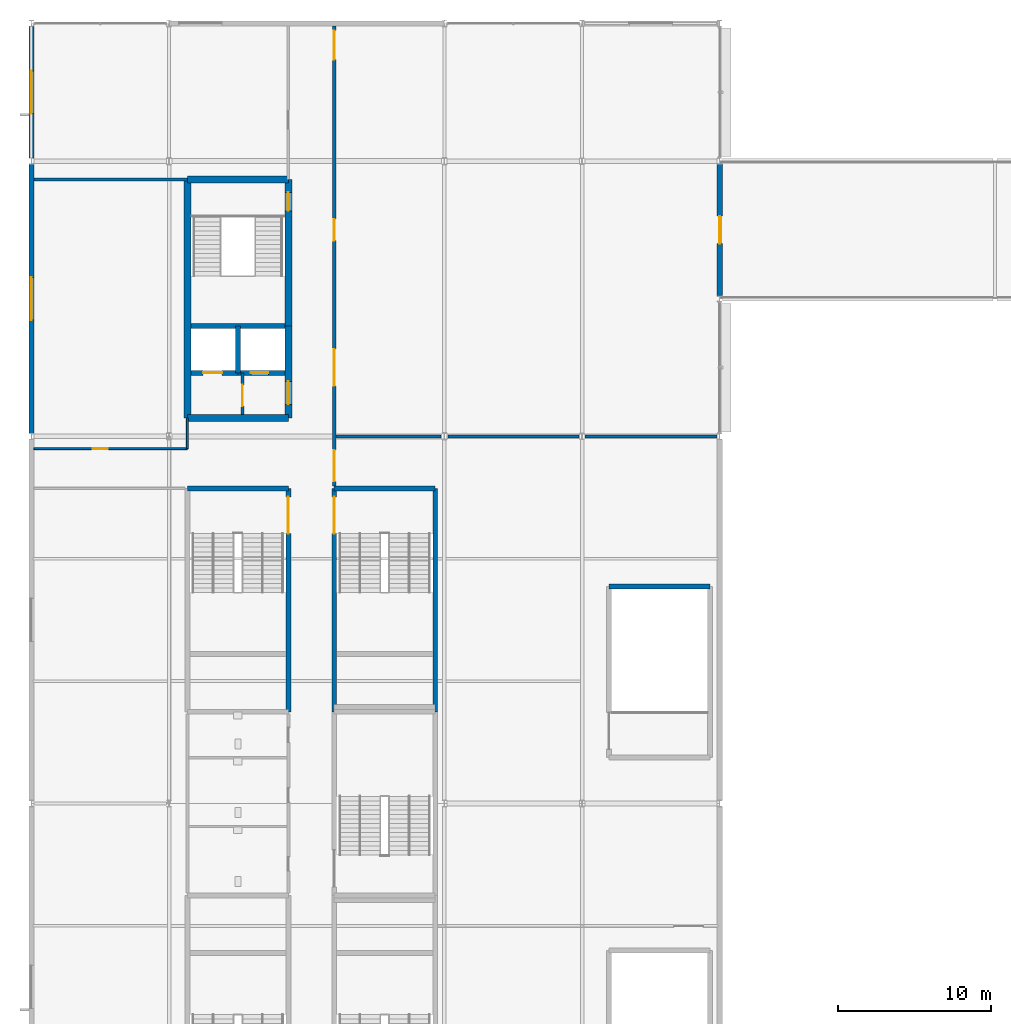
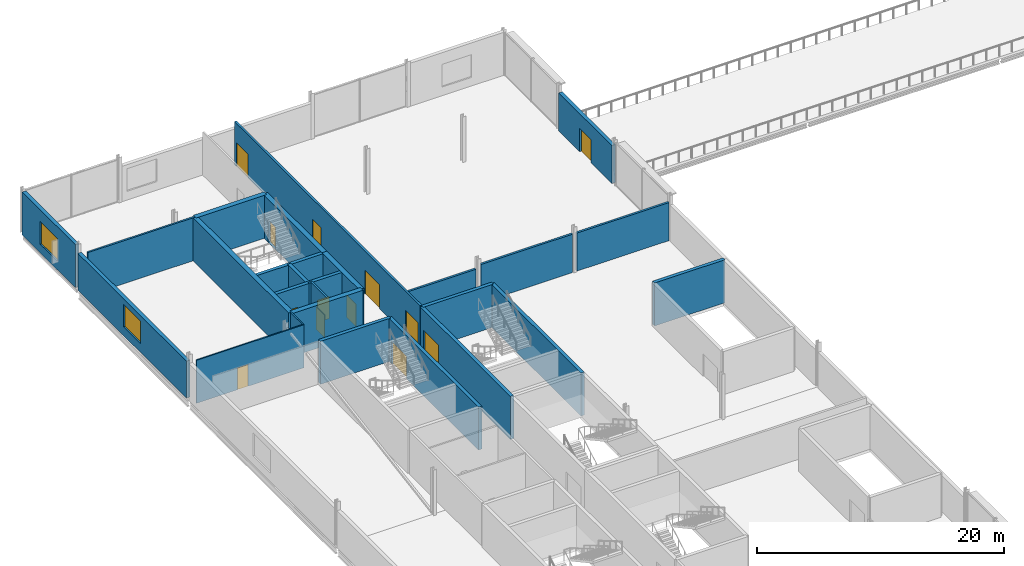
# One storey, part 41 of 73: 26 walls, 13 doors, 2 windows, 15 openings.
"""IFC4 building model written with IfcOpenShell, lengths in metres."""

from ifc_helpers import new_model, si_unit, direction, frame, frame_2d, origin, place, context, subcontext, project, spatial, rectangle, extrude, material, layer, layer_set, type_object, element, fill, save


model = new_model("IFC4")

# Units and contexts
model_context = context("Model", 3, precision=1e-05, world=origin(), true_north=direction((0.0, 1.0)))
body_context = subcontext(model_context, "Body", "Model", "MODEL_VIEW")
ifc_project = project(units=[si_unit("LENGTHUNIT", "METRE"), si_unit("AREAUNIT", "SQUARE_METRE"), si_unit("VOLUMEUNIT", "CUBIC_METRE"), si_unit("PLANEANGLEUNIT", "RADIAN"), si_unit("MASSUNIT", "GRAM", prefix="KILO")], contexts=[model_context])

# Site, building, storey
site_placement = place(None, origin())
site = spatial("IfcSite", under=ifc_project, at=site_placement, CompositionType="ELEMENT")
building_placement = place(site_placement, origin())
building = spatial("IfcBuilding", under=site, at=building_placement, Name="Kisiwana Market Hall", CompositionType="ELEMENT")
storey_placement = place(building_placement, frame((0.0, 0.0, 33.300048828125)))
storey = spatial("IfcBuildingStorey", under=building, at=storey_placement, Name="L07", CompositionType="ELEMENT", Elevation=33.300048828125)

# Wall, opening, door
ifc_material_1 = material(Name="Masonry blockwork", Category="masonry")
ifc_layer_1 = layer(ifc_material_1, 0.199951171875, Name="Plastered fire compartment block wall")
ifc_layer_set_1 = layer_set([ifc_layer_1], Name="WL-COMP-200")
wall_type_1 = type_object("IfcWallType", Name="WL-COMP-200", PredefinedType="PARTITIONING", material=ifc_layer_set_1)
wall_1_placement = place(storey_placement, frame((13.800048828125, 85.425048828125, 0.0), z_axis=(0.0, 0.0, 1.0), x_axis=(0.0, 1.0, 0.0)))
wall_1 = element("IfcWall", 1, at=wall_1_placement, inside=storey, type_object=wall_type_1, Name="Core W1 firefighting lobby wall W-2205", PredefinedType="PARTITIONING", context=body_context, shape_type="SweptSolid", body=[
    extrude(rectangle(XDim=2.72998046875, YDim=0.199951171875, at=frame_2d((1.364990234375, 0.0))), origin(), (0.0, 0.0, 1.0), 4.2548828125),
])
opening_1_placement = place(wall_1_placement, frame((0.550048828125, 0.0, 0.0)))
opening_1 = element("IfcOpeningElement", 2, at=opening_1_placement, cuts=wall_1, Name="Opening DR-L07-006", PredefinedType="OPENING", context=body_context, shape_type="SweptSolid", body=[
    extrude(rectangle(XDim=1.39990234375, YDim=2.25, at=frame_2d((0.699951171875, 1.125))), frame((0.0, 0.11181640625, 0.0), z_axis=(0.0, -1.0, 0.0), x_axis=(1.0, 0.0, 0.0)), (0.0, 0.0, 1.0), 0.223876953125),
])
ifc_material_2 = material(Name="Steel S275", Category="steel")
door_type_1 = type_object("IfcDoorType", Name="DR-FFLOB-FD120-1400", OperationType="DOUBLE_DOOR_SINGLE_SWING", PredefinedType="DOOR", material=ifc_material_2)
door_1_placement = place(opening_1_placement, frame((1.39990234375, 0.0, 0.0), z_axis=(0.0, 0.0, 1.0), x_axis=(-1.0, 0.0, 0.0)))
door_1 = element("IfcDoor", 3, at=door_1_placement, inside=storey, type_object=door_type_1, Name="Firefighting Lift Lobby W1 Door (L07)", OperationType="DOUBLE_DOOR_SINGLE_SWING", OverallHeight=2.25, OverallWidth=1.39990234375, PredefinedType="DOOR", context=body_context, shape_type="SweptSolid", body=[
    extrude(rectangle(XDim=1.39990234375, YDim=2.25, at=frame_2d((0.699951171875, 1.125))), frame((0.0, 0.02490234375, 0.0), z_axis=(0.0, -1.0, 0.0), x_axis=(1.0, 0.0, 0.0)), (0.0, 0.0, 1.0), 0.050048828125),
])
fill(opening_1, door_1)

# Walls
wall_2_placement = place(storey_placement, frame((19.89990234375, 84.0, 0.0), z_axis=(0.0, 0.0, 1.0), x_axis=(1.0, 0.0, 0.0)))
element("IfcWall", 4, at=wall_2_placement, inside=storey, type_object=wall_type_1, Name="Interior partition W-2227", PredefinedType="PARTITIONING", context=body_context, shape_type="SweptSolid", body=[
    extrude(rectangle(XDim=6.875, YDim=0.199951171875, at=frame_2d((3.4375, 0.0))), origin(), (0.0, 0.0, 1.0), 3.49267578125),
])
wall_3_placement = place(storey_placement, frame((27.22509765625, 84.0, 0.0), z_axis=(0.0, 0.0, 1.0), x_axis=(1.0, 0.0, 0.0)))
element("IfcWall", 5, at=wall_3_placement, inside=storey, type_object=wall_type_1, Name="Interior partition W-2228", PredefinedType="PARTITIONING", context=body_context, shape_type="SweptSolid", body=[
    extrude(rectangle(XDim=8.574951171875, YDim=0.199951171875, at=frame_2d((4.28759765625, 0.0))), origin(), (0.0, 0.0, 1.0), 3.801513671875),
])
wall_4_placement = place(storey_placement, frame((36.199951171875, 84.0, 0.0), z_axis=(0.0, 0.0, 1.0), x_axis=(1.0, 0.0, 0.0)))
element("IfcWall", 6, at=wall_4_placement, inside=storey, type_object=wall_type_1, Name="Interior partition W-2229", PredefinedType="PARTITIONING", context=body_context, shape_type="SweptSolid", body=[
    extrude(rectangle(XDim=8.630126953125, YDim=0.199951171875, at=frame_2d((4.31494140625, 0.0))), origin(), (0.0, 0.0, 1.0), 3.765625),
])

# Wall, openings, doors
wall_5_placement = place(storey_placement, frame((19.800048828125, 80.760009765625, 0.0), z_axis=(0.0, 0.0, 1.0), x_axis=(0.0, 1.0, 0.0)))
wall_5 = element("IfcWall", 7, at=wall_5_placement, inside=storey, type_object=wall_type_1, Name="Interior partition W-2231", PredefinedType="PARTITIONING", context=body_context, shape_type="SweptSolid", body=[
    extrude(rectangle(XDim=30.070068359375, YDim=0.199951171875, at=frame_2d((15.03515625, 0.0))), origin(), (0.0, 0.0, 1.0), 4.2548828125),
])
opening_2_placement = place(wall_5_placement, frame((16.0400390625, 0.0, 0.0)))
opening_2 = element("IfcOpeningElement", 8, at=opening_2_placement, cuts=wall_5, Name="Opening DR-L07-041", PredefinedType="OPENING", context=body_context, shape_type="SweptSolid", body=[
    extrude(rectangle(XDim=1.39990234375, YDim=2.25, at=frame_2d((0.699951171875, 1.125))), frame((0.0, 0.11181640625, 0.0), z_axis=(0.0, -1.0, 0.0), x_axis=(1.0, 0.0, 0.0)), (0.0, 0.0, 1.0), 0.223876953125),
])
opening_3_placement = place(wall_5_placement, frame((6.5400390625, 0.0, 0.0)))
opening_3 = element("IfcOpeningElement", 9, at=opening_3_placement, cuts=wall_5, Name="Opening DR-L07-042", PredefinedType="OPENING", context=body_context, shape_type="SweptSolid", body=[
    extrude(rectangle(XDim=2.39990234375, YDim=2.35009765625, at=frame_2d((1.199951171875, 1.175048828125))), frame((0.0, 0.11181640625, 0.0), z_axis=(0.0, -1.0, 0.0), x_axis=(1.0, 0.0, 0.0)), (0.0, 0.0, 1.0), 0.223876953125),
])
opening_4_placement = place(wall_5_placement, frame((0.300048828125, 0.0, 0.0)))
opening_4 = element("IfcOpeningElement", 10, at=opening_4_placement, cuts=wall_5, Name="Opening DR-L07-043", PredefinedType="OPENING", context=body_context, shape_type="SweptSolid", body=[
    extrude(rectangle(XDim=2.050048828125, YDim=2.39990234375, at=frame_2d((1.02490234375, 1.199951171875))), frame((0.0, 0.11181640625, 0.0), z_axis=(0.0, -1.0, 0.0), x_axis=(1.0, 0.0, 0.0)), (0.0, 0.0, 1.0), 0.223876953125),
])
opening_5_placement = place(wall_5_placement, frame((27.8701171875, 0.0, 0.0)))
opening_5 = element("IfcOpeningElement", 11, at=opening_5_placement, cuts=wall_5, Name="Opening DR-L07-044", PredefinedType="OPENING", context=body_context, shape_type="SweptSolid", body=[
    extrude(rectangle(XDim=1.89990234375, YDim=2.35009765625, at=frame_2d((0.949951171875, 1.175048828125))), frame((0.0, 0.11181640625, 0.0), z_axis=(0.0, -1.0, 0.0), x_axis=(1.0, 0.0, 0.0)), (0.0, 0.0, 1.0), 0.223876953125),
])
door_2_placement = place(opening_2_placement, frame((1.39990234375, 0.0, 0.0), z_axis=(0.0, 0.0, 1.0), x_axis=(-1.0, 0.0, 0.0)))
door_2 = element("IfcDoor", 12, at=door_2_placement, inside=storey, type_object=door_type_1, Name="L07 W Refuge and Wellness Suite Door", OperationType="DOUBLE_DOOR_SINGLE_SWING", OverallHeight=2.25, OverallWidth=1.39990234375, PredefinedType="DOOR", context=body_context, shape_type="SweptSolid", body=[
    extrude(rectangle(XDim=1.39990234375, YDim=2.25, at=frame_2d((0.699951171875, 1.125))), frame((0.0, 0.02490234375, 0.0), z_axis=(0.0, -1.0, 0.0), x_axis=(1.0, 0.0, 0.0)), (0.0, 0.0, 1.0), 0.050048828125),
])
fill(opening_2, door_2)
ifc_material_3 = material(Name="Steel S275", Category="steel")
door_type_2 = type_object("IfcDoorType", Name="DR-HALL-1900", OperationType="DOUBLE_DOOR_SINGLE_SWING", PredefinedType="DOOR", material=ifc_material_3)
door_3_placement = place(opening_5_placement, frame((1.89990234375, 0.0, 0.0), z_axis=(0.0, 0.0, 1.0), x_axis=(-1.0, 0.0, 0.0)))
door_3 = element("IfcDoor", 13, at=door_3_placement, inside=storey, type_object=door_type_2, Name="L07 W Town-Hall Briefing Room Door", OperationType="DOUBLE_DOOR_SINGLE_SWING", OverallHeight=2.35009765625, OverallWidth=1.89990234375, PredefinedType="DOOR", context=body_context, shape_type="SweptSolid", body=[
    extrude(rectangle(XDim=1.89990234375, YDim=2.35009765625, at=frame_2d((0.949951171875, 1.175048828125))), frame((0.0, 0.02490234375, 0.0), z_axis=(0.0, -1.0, 0.0), x_axis=(1.0, 0.0, 0.0)), (0.0, 0.0, 1.0), 0.050048828125),
])
fill(opening_5, door_3)
ifc_material_4 = material(Name="Hardwood timber", Category="wood")
door_type_3 = type_object("IfcDoorType", Name="DR-HALL-2050", OperationType="DOUBLE_DOOR_SINGLE_SWING", PredefinedType="DOOR", material=ifc_material_4)
door_4_placement = place(opening_4_placement, frame((2.050048828125, 0.0, 0.0), z_axis=(0.0, 0.0, 1.0), x_axis=(-1.0, 0.0, 0.0)))
door_4 = element("IfcDoor", 14, at=door_4_placement, inside=storey, type_object=door_type_3, Name="L07 W Staff Dining Canteen Door", OperationType="DOUBLE_DOOR_SINGLE_SWING", OverallHeight=2.39990234375, OverallWidth=2.050048828125, PredefinedType="DOOR", context=body_context, shape_type="SweptSolid", body=[
    extrude(rectangle(XDim=2.050048828125, YDim=2.39990234375, at=frame_2d((1.02490234375, 1.199951171875))), frame((0.0, 0.02490234375, 0.0), z_axis=(0.0, -1.0, 0.0), x_axis=(1.0, 0.0, 0.0)), (0.0, 0.0, 1.0), 0.050048828125),
])
fill(opening_4, door_4)
ifc_material_5 = material(Name="Steel S275", Category="steel")
door_type_4 = type_object("IfcDoorType", Name="DR-HALL-2400", OperationType="DOUBLE_DOOR_SINGLE_SWING", PredefinedType="DOOR", material=ifc_material_5)
door_5_placement = place(opening_3_placement, frame((2.39990234375, 0.0, 0.0), z_axis=(0.0, 0.0, 1.0), x_axis=(-1.0, 0.0, 0.0)))
door_5 = element("IfcDoor", 15, at=door_5_placement, inside=storey, type_object=door_type_4, Name="L07 W Refuge and Wellness Suite Second Door", OperationType="DOUBLE_DOOR_SINGLE_SWING", OverallHeight=2.35009765625, OverallWidth=2.39990234375, PredefinedType="DOOR", context=body_context, shape_type="SweptSolid", body=[
    extrude(rectangle(XDim=2.39990234375, YDim=2.35009765625, at=frame_2d((1.199951171875, 1.175048828125))), frame((0.0, 0.02490234375, 0.0), z_axis=(0.0, -1.0, 0.0), x_axis=(1.0, 0.0, 0.0)), (0.0, 0.0, 1.0), 0.050048828125),
])
fill(opening_3, door_5)

# Walls
ifc_material_6 = material(Name="Concrete C40/50", Category="concrete")
ifc_layer_2 = layer(ifc_material_6, 0.320068359375, Name="Reinforced concrete shaft wall")
ifc_layer_set_2 = layer_set([ifc_layer_2], Name="WL-CORE-320")
wall_type_2 = type_object("IfcWallType", Name="WL-CORE-320", PredefinedType="SHEAR", material=ifc_layer_set_2)
wall_6_placement = place(storey_placement, frame((10.425048828125, 91.215087890625, 0.0), z_axis=(0.0, 0.0, 1.0), x_axis=(1.0, 0.0, 0.0)))
element("IfcWall", 16, at=wall_6_placement, inside=storey, type_object=wall_type_2, Name="Core W1 shaft back shear wall W-2092", PredefinedType="SHEAR", context=body_context, shape_type="SweptSolid", body=[
    extrude(rectangle(XDim=6.14990234375, YDim=0.320068359375, at=frame_2d((3.074951171875, 0.0))), origin(), (0.0, 0.0, 1.0), 4.2548828125),
])
wall_7_placement = place(storey_placement, frame((13.5, 88.155029296875, 0.0), z_axis=(0.0, 0.0, 1.0), x_axis=(0.0, 1.0, 0.0)))
element("IfcWall", 17, at=wall_7_placement, inside=storey, type_object=wall_type_2, Name="Core W1 inter-shaft shear wall W-2093", PredefinedType="SHEAR", context=body_context, shape_type="SweptSolid", body=[
    extrude(rectangle(XDim=3.06005859375, YDim=0.320068359375, at=frame_2d((1.530029296875, 0.0))), origin(), (0.0, 0.0, 1.0), 4.2548828125),
])

# Wall, opening, door
wall_8_placement = place(storey_placement, frame((10.425048828125, 88.155029296875, 0.0), z_axis=(0.0, 0.0, 1.0), x_axis=(1.0, 0.0, 0.0)))
wall_8 = element("IfcWall", 18, at=wall_8_placement, inside=storey, type_object=wall_type_2, Name="Core W1 west lift front wall W-2094", PredefinedType="SHEAR", context=body_context, shape_type="SweptSolid", body=[
    extrude(rectangle(XDim=3.074951171875, YDim=0.320068359375, at=frame_2d((1.53759765625, 0.0))), origin(), (0.0, 0.0, 1.0), 4.2548828125),
])
opening_6_placement = place(wall_8_placement, frame((0.800048828125, 0.0, 0.0)))
opening_6 = element("IfcOpeningElement", 19, at=opening_6_placement, cuts=wall_8, Name="Opening LD-L07-003", PredefinedType="OPENING", context=body_context, shape_type="SweptSolid", body=[
    extrude(rectangle(XDim=1.25, YDim=2.25, at=frame_2d((0.625, 1.125))), frame((0.0, 0.171875, 0.0), z_axis=(0.0, -1.0, 0.0), x_axis=(1.0, 0.0, 0.0)), (0.0, 0.0, 1.0), 0.343994140625),
])
ifc_material_7 = material(Name="Steel S275", Category="steel")
door_type_5 = type_object("IfcDoorType", Name="DR-LIFT-FFL-1250", OperationType="DOUBLE_DOOR_SLIDING", PredefinedType="DOOR", material=ifc_material_7)
door_6_placement = place(opening_6_placement, origin())
door_6 = element("IfcDoor", 20, at=door_6_placement, inside=storey, type_object=door_type_5, Name="Lift Landing Door FFL-02 (L07)", OperationType="DOUBLE_DOOR_SLIDING", OverallHeight=2.25, OverallWidth=1.25, PredefinedType="DOOR", context=body_context, shape_type="SweptSolid", body=[
    extrude(rectangle(XDim=1.25, YDim=2.25, at=frame_2d((0.625, 1.125))), frame((0.0, 0.02490234375, 0.0), z_axis=(0.0, -1.0, 0.0), x_axis=(1.0, 0.0, 0.0)), (0.0, 0.0, 1.0), 0.050048828125),
])
fill(opening_6, door_6)

wall_9_placement = place(storey_placement, frame((13.5, 88.155029296875, 0.0), z_axis=(0.0, 0.0, 1.0), x_axis=(1.0, 0.0, 0.0)))
wall_9 = element("IfcWall", 21, at=wall_9_placement, inside=storey, type_object=wall_type_2, Name="Core W1 east lift front wall W-2095", PredefinedType="SHEAR", context=body_context, shape_type="SweptSolid", body=[
    extrude(rectangle(XDim=3.074951171875, YDim=0.320068359375, at=frame_2d((1.53759765625, 0.0))), origin(), (0.0, 0.0, 1.0), 4.2548828125),
])
opening_7_placement = place(wall_9_placement, frame((0.85009765625, 0.0, 0.0)))
opening_7 = element("IfcOpeningElement", 22, at=opening_7_placement, cuts=wall_9, Name="Opening LD-L07-004", PredefinedType="OPENING", context=body_context, shape_type="SweptSolid", body=[
    extrude(rectangle(XDim=1.14990234375, YDim=2.199951171875, at=frame_2d((0.574951171875, 1.10009765625))), frame((0.0, 0.171875, 0.0), z_axis=(0.0, -1.0, 0.0), x_axis=(1.0, 0.0, 0.0)), (0.0, 0.0, 1.0), 0.343994140625),
])
ifc_material_8 = material(Name="Steel S275", Category="steel")
door_type_6 = type_object("IfcDoorType", Name="DR-LIFT-PAX-1150", OperationType="DOUBLE_DOOR_SLIDING", PredefinedType="DOOR", material=ifc_material_8)
door_7_placement = place(opening_7_placement, origin())
door_7 = element("IfcDoor", 23, at=door_7_placement, inside=storey, type_object=door_type_6, Name="Lift Landing Door LP-02 (L07)", OperationType="DOUBLE_DOOR_SLIDING", OverallHeight=2.199951171875, OverallWidth=1.14990234375, PredefinedType="DOOR", context=body_context, shape_type="SweptSolid", body=[
    extrude(rectangle(XDim=1.14990234375, YDim=2.199951171875, at=frame_2d((0.574951171875, 1.10009765625))), frame((0.0, 0.02490234375, 0.0), z_axis=(0.0, -1.0, 0.0), x_axis=(1.0, 0.0, 0.0)), (0.0, 0.0, 1.0), 0.050048828125),
])
fill(opening_7, door_7)

# Wall
wall_10_placement = place(storey_placement, frame((10.199951171875, 80.60009765625, 0.0), z_axis=(0.0, 0.0, 1.0), x_axis=(1.0, 0.0, 0.0)))
element("IfcWall", 24, at=wall_10_placement, inside=storey, type_object=wall_type_2, Name="Core W4 north shear wall W-2120", PredefinedType="SHEAR", context=body_context, shape_type="SweptSolid", body=[
    extrude(rectangle(XDim=6.60009765625, YDim=0.320068359375, at=frame_2d((3.300048828125, 0.0))), origin(), (0.0, 0.0, 1.0), 4.2548828125),
])

# Wall, opening, door
wall_11_placement = place(storey_placement, frame((16.800048828125, 66.0, 0.0), z_axis=(0.0, 0.0, 1.0), x_axis=(0.0, 1.0, 0.0)))
wall_11 = element("IfcWall", 25, at=wall_11_placement, inside=storey, type_object=wall_type_2, Name="Core W4 corridor shear wall W-2122", PredefinedType="SHEAR", context=body_context, shape_type="SweptSolid", body=[
    extrude(rectangle(XDim=14.60009765625, YDim=0.320068359375, at=frame_2d((7.300048828125, 0.0))), origin(), (0.0, 0.0, 1.0), 4.2548828125),
])
opening_8_placement = place(wall_11_placement, frame((11.64990234375, 0.0, 0.0)))
opening_8 = element("IfcOpeningElement", 26, at=opening_8_placement, cuts=wall_11, Name="Opening DR-L07-014", PredefinedType="OPENING", context=body_context, shape_type="SweptSolid", body=[
    extrude(rectangle(XDim=2.39990234375, YDim=2.25, at=frame_2d((1.199951171875, 1.125))), frame((0.0, 0.171875, 0.0), z_axis=(0.0, -1.0, 0.0), x_axis=(1.0, 0.0, 0.0)), (0.0, 0.0, 1.0), 0.343994140625),
])
ifc_material_9 = material(Name="Steel S275", Category="steel")
door_type_7 = type_object("IfcDoorType", Name="DR-STAIR-FD120-2400", OperationType="DOUBLE_DOOR_SINGLE_SWING", PredefinedType="DOOR", material=ifc_material_9)
door_8_placement = place(opening_8_placement, origin())
door_8 = element("IfcDoor", 27, at=door_8_placement, inside=storey, type_object=door_type_7, Name="Escape Stair W4 Fire Door (L07)", OperationType="DOUBLE_DOOR_SINGLE_SWING", OverallHeight=2.25, OverallWidth=2.39990234375, PredefinedType="DOOR", context=body_context, shape_type="SweptSolid", body=[
    extrude(rectangle(XDim=2.39990234375, YDim=2.25, at=frame_2d((1.199951171875, 1.125))), frame((0.0, 0.02490234375, 0.0), z_axis=(0.0, -1.0, 0.0), x_axis=(1.0, 0.0, 0.0)), (0.0, 0.0, 1.0), 0.050048828125),
])
fill(opening_8, door_8)

# Wall
wall_12_placement = place(storey_placement, frame((19.800048828125, 80.60009765625, 0.0), z_axis=(0.0, 0.0, 1.0), x_axis=(1.0, 0.0, 0.0)))
element("IfcWall", 28, at=wall_12_placement, inside=storey, type_object=wall_type_2, Name="Core W8 north shear wall W-2145", PredefinedType="SHEAR", context=body_context, shape_type="SweptSolid", body=[
    extrude(rectangle(XDim=6.599853515625, YDim=0.320068359375, at=frame_2d((3.2998046875, 0.0))), origin(), (0.0, 0.0, 1.0), 4.2548828125),
])

# Wall, opening, door
wall_13_placement = place(storey_placement, frame((19.800048828125, 66.0, 0.0), z_axis=(0.0, 0.0, 1.0), x_axis=(0.0, 1.0, 0.0)))
wall_13 = element("IfcWall", 29, at=wall_13_placement, inside=storey, type_object=wall_type_2, Name="Core W8 corridor shear wall W-2146", PredefinedType="SHEAR", context=body_context, shape_type="SweptSolid", body=[
    extrude(rectangle(XDim=14.60009765625, YDim=0.320068359375, at=frame_2d((7.300048828125, 0.0))), origin(), (0.0, 0.0, 1.0), 4.2548828125),
])
opening_9_placement = place(wall_13_placement, frame((11.64990234375, 0.0, 0.0)))
opening_9 = element("IfcOpeningElement", 30, at=opening_9_placement, cuts=wall_13, Name="Opening DR-L07-019", PredefinedType="OPENING", context=body_context, shape_type="SweptSolid", body=[
    extrude(rectangle(XDim=2.39990234375, YDim=2.25, at=frame_2d((1.199951171875, 1.125))), frame((0.0, 0.171875, 0.0), z_axis=(0.0, -1.0, 0.0), x_axis=(1.0, 0.0, 0.0)), (0.0, 0.0, 1.0), 0.343994140625),
])
door_9_placement = place(opening_9_placement, frame((2.39990234375, 0.0, 0.0), z_axis=(0.0, 0.0, 1.0), x_axis=(-1.0, 0.0, 0.0)))
door_9 = element("IfcDoor", 31, at=door_9_placement, inside=storey, type_object=door_type_7, Name="Escape Stair W8 Fire Door (L07)", OperationType="DOUBLE_DOOR_SINGLE_SWING", OverallHeight=2.25, OverallWidth=2.39990234375, PredefinedType="DOOR", context=body_context, shape_type="SweptSolid", body=[
    extrude(rectangle(XDim=2.39990234375, YDim=2.25, at=frame_2d((1.199951171875, 1.125))), frame((0.0, 0.02490234375, 0.0), z_axis=(0.0, -1.0, 0.0), x_axis=(1.0, 0.0, 0.0)), (0.0, 0.0, 1.0), 0.050048828125),
])
fill(opening_9, door_9)

# Walls
wall_14_placement = place(storey_placement, frame((26.39990234375, 66.0, 0.0), z_axis=(0.0, 0.0, 1.0), x_axis=(0.0, 1.0, 0.0)))
element("IfcWall", 32, at=wall_14_placement, inside=storey, type_object=wall_type_2, Name="Core W8 outer shear wall W-2147", PredefinedType="SHEAR", context=body_context, shape_type="SweptSolid", body=[
    extrude(rectangle(XDim=14.60009765625, YDim=0.320068359375, at=frame_2d((7.300048828125, 0.0))), origin(), (0.0, 0.0, 1.0), 4.2548828125),
])
wall_15_placement = place(storey_placement, frame((37.77001953125, 74.199951171875, 0.0), z_axis=(0.0, 0.0, 1.0), x_axis=(1.0, 0.0, 0.0)))
element("IfcWall", 33, at=wall_15_placement, inside=storey, type_object=wall_type_2, Name="Core W10 north shear wall W-2163", PredefinedType="SHEAR", context=body_context, shape_type="SweptSolid", body=[
    extrude(rectangle(XDim=6.60009765625, YDim=0.320068359375, at=frame_2d((3.300048828125, 0.0))), origin(), (0.0, 0.0, 1.0), 4.2548828125),
])
ifc_material_10 = material(Name="Concrete C40/50", Category="concrete")
ifc_layer_3 = layer(ifc_material_10, 0.449951171875, Name="Reinforced concrete core wall")
ifc_layer_set_3 = layer_set([ifc_layer_3], Name="WL-CORE-450")
wall_type_3 = type_object("IfcWallType", Name="WL-CORE-450", PredefinedType="SHEAR", material=ifc_layer_set_3)
for number, where, z_axis, x_axis, name in (
    (34, (10.199951171875, 85.199951171875, 0.0), (0.0, 0.0, 1.0), (1.0, 0.0, 0.0), "Core W1 south shear wall W-2087"),
    (35, (10.199951171875, 100.800048828125, 0.0), (0.0, 0.0, 1.0), (1.0, 0.0, 0.0), "Core W1 north shear wall W-2088"),
):
    element("IfcWall", number, at=place(storey_placement, frame(where, z_axis=z_axis, x_axis=x_axis)), inside=storey, type_object=wall_type_3, Name=name, PredefinedType="SHEAR", context=body_context, shape_type="SweptSolid", body=[
        extrude(rectangle(XDim=6.60009765625, YDim=0.449951171875, at=frame_2d((3.300048828125, 0.0))), origin(), (0.0, 0.0, 1.0), 4.2548828125),
    ])
wall_16_placement = place(storey_placement, frame((10.199951171875, 85.199951171875, 0.0), z_axis=(0.0, 0.0, 1.0), x_axis=(0.0, 1.0, 0.0)))
element("IfcWall", 36, at=wall_16_placement, inside=storey, type_object=wall_type_3, Name="Core W1 outer shear wall W-2089", PredefinedType="SHEAR", context=body_context, shape_type="SweptSolid", body=[
    extrude(rectangle(XDim=15.60009765625, YDim=0.449951171875, at=frame_2d((7.800048828125, 0.0))), origin(), (0.0, 0.0, 1.0), 4.2548828125),
])

# Wall, opening, door
wall_17_placement = place(storey_placement, frame((16.800048828125, 85.199951171875, 0.0), z_axis=(0.0, 0.0, 1.0), x_axis=(0.0, 1.0, 0.0)))
wall_17 = element("IfcWall", 37, at=wall_17_placement, inside=storey, type_object=wall_type_3, Name="Core W1 lobby corridor shear wall W-2090", PredefinedType="SHEAR", context=body_context, shape_type="SweptSolid", body=[
    extrude(rectangle(XDim=6.01513671875, YDim=0.449951171875, at=frame_2d((3.007568359375, 0.0))), origin(), (0.0, 0.0, 1.0), 4.2548828125),
])
opening_10_placement = place(wall_17_placement, frame((0.89990234375, 0.0, 0.0)))
opening_10 = element("IfcOpeningElement", 38, at=opening_10_placement, cuts=wall_17, Name="Opening DR-L07-004", PredefinedType="OPENING", context=body_context, shape_type="SweptSolid", body=[
    extrude(rectangle(XDim=1.5, YDim=2.199951171875, at=frame_2d((0.75, 1.10009765625))), frame((0.0, 0.23681640625, 0.0), z_axis=(0.0, -1.0, 0.0), x_axis=(1.0, 0.0, 0.0)), (0.0, 0.0, 1.0), 0.473876953125),
])
ifc_material_11 = material(Name="Steel S275", Category="steel")
door_type_8 = type_object("IfcDoorType", Name="DR-CORR-FD60-1500", OperationType="DOUBLE_DOOR_SINGLE_SWING", PredefinedType="DOOR", material=ifc_material_11)
door_10_placement = place(opening_10_placement, frame((1.5, 0.0, 0.0), z_axis=(0.0, 0.0, 1.0), x_axis=(-1.0, 0.0, 0.0)))
door_10 = element("IfcDoor", 39, at=door_10_placement, inside=storey, type_object=door_type_8, Name="Passenger Lift Lobby W1 Smoke Door (L07)", OperationType="DOUBLE_DOOR_SINGLE_SWING", OverallHeight=2.199951171875, OverallWidth=1.5, PredefinedType="DOOR", context=body_context, shape_type="SweptSolid", body=[
    extrude(rectangle(XDim=1.5, YDim=2.199951171875, at=frame_2d((0.75, 1.10009765625))), frame((0.0, 0.02490234375, 0.0), z_axis=(0.0, -1.0, 0.0), x_axis=(1.0, 0.0, 0.0)), (0.0, 0.0, 1.0), 0.050048828125),
])
fill(opening_10, door_10)

wall_18_placement = place(storey_placement, frame((16.800048828125, 91.215087890625, 0.0), z_axis=(0.0, 0.0, 1.0), x_axis=(0.0, 1.0, 0.0)))
wall_18 = element("IfcWall", 40, at=wall_18_placement, inside=storey, type_object=wall_type_3, Name="Core W1 stair corridor shear wall W-2091", PredefinedType="SHEAR", context=body_context, shape_type="SweptSolid", body=[
    extrude(rectangle(XDim=9.5849609375, YDim=0.449951171875, at=frame_2d((4.79248046875, 0.0))), origin(), (0.0, 0.0, 1.0), 4.2548828125),
])
opening_11_placement = place(wall_18_placement, frame((7.534912109375, 0.0, 0.0)))
opening_11 = element("IfcOpeningElement", 41, at=opening_11_placement, cuts=wall_18, Name="Opening DR-L07-005", PredefinedType="OPENING", context=body_context, shape_type="SweptSolid", body=[
    extrude(rectangle(XDim=1.199951171875, YDim=2.199951171875, at=frame_2d((0.60009765625, 1.10009765625))), frame((0.0, 0.23681640625, 0.0), z_axis=(0.0, -1.0, 0.0), x_axis=(1.0, 0.0, 0.0)), (0.0, 0.0, 1.0), 0.473876953125),
])
ifc_material_12 = material(Name="Steel S275", Category="steel")
door_type_9 = type_object("IfcDoorType", Name="DR-STAIR-FD120-1200", OperationType="NOTDEFINED", PredefinedType="DOOR", material=ifc_material_12)
door_11_placement = place(opening_11_placement, origin())
door_11 = element("IfcDoor", 42, at=door_11_placement, inside=storey, type_object=door_type_9, Name="Escape Stair W1 Fire Door (L07)", OperationType="SINGLE_SWING_RIGHT", OverallHeight=2.199951171875, OverallWidth=1.199951171875, PredefinedType="DOOR", context=body_context, shape_type="SweptSolid", body=[
    extrude(rectangle(XDim=1.199951171875, YDim=2.199951171875, at=frame_2d((0.60009765625, 1.10009765625))), frame((0.0, 0.02490234375, 0.0), z_axis=(0.0, -1.0, 0.0), x_axis=(1.0, 0.0, 0.0)), (0.0, 0.0, 1.0), 0.050048828125),
])
fill(opening_11, door_11)

# Wall
ifc_material_13 = material(Name="Masonry blockwork", Category="masonry")
ifc_layer_4 = layer(ifc_material_13, 0.169921875, Name="Protected corridor partition")
ifc_layer_set_4 = layer_set([ifc_layer_4], Name="WL-CORR-170")
wall_type_4 = type_object("IfcWallType", Name="WL-CORR-170", PredefinedType="PARTITIONING", material=ifc_layer_set_4)
wall_19_placement = place(storey_placement, frame((0.169921875, 100.800048828125, 0.0), z_axis=(0.0, 0.0, 1.0), x_axis=(1.0, 0.0, 0.0)))
element("IfcWall", 43, at=wall_19_placement, inside=storey, type_object=wall_type_4, Name="Interior partition W-2215", PredefinedType="PARTITIONING", context=body_context, shape_type="SweptSolid", body=[
    extrude(rectangle(XDim=10.030029296875, YDim=0.169921875, at=frame_2d((5.01513671875, 0.0))), origin(), (0.0, 0.0, 1.0), 4.2548828125),
])

# Wall, opening, window
ifc_material_14 = material(Name="Concrete C40/50 precast", Category="concrete")
ifc_layer_5 = layer(ifc_material_14, 0.14990234375, Name="Precast architectural concrete spandrel")
ifc_material_15 = material(Name="Mineral wool insulation")
ifc_layer_6 = layer(ifc_material_15, 0.090087890625, Name="Rockwool thermal insulation")
ifc_material_16 = material(Name="Masonry blockwork", Category="masonry")
ifc_layer_7 = layer(ifc_material_16, 0.10009765625, Name="Inner masonry block leaf")
ifc_layer_set_5 = layer_set([ifc_layer_5, ifc_layer_6, ifc_layer_7], Name="WL-EXT-PREC-340")
wall_type_5 = type_object("IfcWallType", Name="WL-EXT-PREC-340", PredefinedType="STANDARD", material=ifc_layer_set_5)
wall_20_placement = place(storey_placement, frame((0.0, 84.197998046875, 0.0), z_axis=(0.0, 0.0, 1.0), x_axis=(0.0, 1.0, 0.0)))
wall_20 = element("IfcWall", 44, at=wall_20_placement, inside=storey, type_object=wall_type_5, Name="Exterior wall W-2191", PredefinedType="STANDARD", context=body_context, shape_type="SweptSolid", body=[
    extrude(rectangle(XDim=17.60400390625, YDim=0.340087890625, at=frame_2d((8.802001953125, 0.0))), origin(), (0.0, 0.0, 1.0), 3.642822265625),
])
opening_12_placement = place(wall_20_placement, frame((7.402099609375, 0.0, 0.85009765625)))
opening_12 = element("IfcOpeningElement", 45, at=opening_12_placement, cuts=wall_20, Name="Opening WN-03", PredefinedType="OPENING", context=body_context, shape_type="SweptSolid", body=[
    extrude(rectangle(XDim=2.800048828125, YDim=2.25, at=frame_2d((1.39990234375, 1.125))), frame((0.0, 0.18212890625, 0.0), z_axis=(0.0, -1.0, 0.0), x_axis=(1.0, 0.0, 0.0)), (0.0, 0.0, 1.0), 0.364013671875),
])
ifc_material_17 = material(Name="Double-glazed solar-control low-E IGU", Category="glass")
window_type = type_object("IfcWindowType", Name="WN-SKYB-2800x2250", PartitioningType="SINGLE_PANEL", PredefinedType="WINDOW", material=ifc_material_17)
window_1_placement = place(opening_12_placement, origin())
window_1 = element("IfcWindow", 46, at=window_1_placement, inside=storey, type_object=window_type, Name="Exterior window WN-221", OverallHeight=2.25, OverallWidth=2.800048828125, PartitioningType="SINGLE_PANEL", PredefinedType="WINDOW", context=body_context, shape_type="SweptSolid", body=[
    extrude(rectangle(XDim=2.800048828125, YDim=2.25, at=frame_2d((1.39990234375, 1.125))), frame((0.0, 0.030029296875, 0.0), z_axis=(0.0, -1.0, 0.0), x_axis=(1.0, 0.0, 0.0)), (0.0, 0.0, 1.0), 0.06005859375),
])
fill(opening_12, window_1)

wall_21_placement = place(storey_placement, frame((0.0, 102.197998046875, 0.0), z_axis=(0.0, 0.0, 1.0), x_axis=(0.0, 1.0, 0.0)))
wall_21 = element("IfcWall", 47, at=wall_21_placement, inside=storey, type_object=wall_type_5, Name="Exterior wall W-2192", PredefinedType="STANDARD", context=body_context, shape_type="SweptSolid", body=[
    extrude(rectangle(XDim=8.60400390625, YDim=0.340087890625, at=frame_2d((4.302001953125, 0.0))), origin(), (0.0, 0.0, 1.0), 4.2548828125),
])
opening_13_placement = place(wall_21_placement, frame((2.902099609375, 0.0, 0.85009765625)))
opening_13 = element("IfcOpeningElement", 48, at=opening_13_placement, cuts=wall_21, Name="Opening WN-03", PredefinedType="OPENING", context=body_context, shape_type="SweptSolid", body=[
    extrude(rectangle(XDim=2.800048828125, YDim=2.25, at=frame_2d((1.39990234375, 1.125))), frame((0.0, 0.18212890625, 0.0), z_axis=(0.0, -1.0, 0.0), x_axis=(1.0, 0.0, 0.0)), (0.0, 0.0, 1.0), 0.364013671875),
])
window_2_placement = place(opening_13_placement, origin())
window_2 = element("IfcWindow", 49, at=window_2_placement, inside=storey, type_object=window_type, Name="Exterior window WN-222", OverallHeight=2.25, OverallWidth=2.800048828125, PartitioningType="SINGLE_PANEL", PredefinedType="WINDOW", context=body_context, shape_type="SweptSolid", body=[
    extrude(rectangle(XDim=2.800048828125, YDim=2.25, at=frame_2d((1.39990234375, 1.125))), frame((0.0, 0.030029296875, 0.0), z_axis=(0.0, -1.0, 0.0), x_axis=(1.0, 0.0, 0.0)), (0.0, 0.0, 1.0), 0.06005859375),
])
fill(opening_13, window_2)

# Wall, opening, door
wall_22_placement = place(storey_placement, frame((45.0, 93.197998046875, 0.0), z_axis=(0.0, 0.0, 1.0), x_axis=(0.0, 1.0, 0.0)))
wall_22 = element("IfcWall", 50, at=wall_22_placement, inside=storey, type_object=wall_type_5, Name="Exterior wall W-2195", PredefinedType="STANDARD", context=body_context, shape_type="SweptSolid", body=[
    extrude(rectangle(XDim=8.60400390625, YDim=0.340087890625, at=frame_2d((4.302001953125, 0.0))), origin(), (0.0, 0.0, 1.0), 3.758056640625),
])
opening_14_placement = place(wall_22_placement, frame((3.402099609375, 0.0, 0.0)))
opening_14 = element("IfcOpeningElement", 51, at=opening_14_placement, cuts=wall_22, Name="Opening DR-L07-984", PredefinedType="OPENING", context=body_context, shape_type="SweptSolid", body=[
    extrude(rectangle(XDim=1.800048828125, YDim=2.300048828125, at=frame_2d((0.89990234375, 1.14990234375))), frame((0.0, 0.18212890625, 0.0), z_axis=(0.0, -1.0, 0.0), x_axis=(1.0, 0.0, 0.0)), (0.0, 0.0, 1.0), 0.364013671875),
])
ifc_material_18 = material(Name="Aluminium alloy 6063-T6", Category="aluminium")
door_type_10 = type_object("IfcDoorType", Name="DR-EXT-TERR-1800", OperationType="DOUBLE_DOOR_SINGLE_SWING", PredefinedType="DOOR", material=ifc_material_18)
door_12_placement = place(opening_14_placement, origin())
door_12 = element("IfcDoor", 52, at=door_12_placement, inside=storey, type_object=door_type_10, Name="Exterior terrace access door DR-L07-984", OperationType="DOUBLE_DOOR_SINGLE_SWING", OverallHeight=2.300048828125, OverallWidth=1.800048828125, PredefinedType="DOOR", context=body_context, shape_type="SweptSolid", body=[
    extrude(rectangle(XDim=1.800048828125, YDim=2.300048828125, at=frame_2d((0.89990234375, 1.14990234375))), frame((0.0, 0.02490234375, 0.0), z_axis=(0.0, -1.0, 0.0), x_axis=(1.0, 0.0, 0.0)), (0.0, 0.0, 1.0), 0.050048828125),
])
fill(opening_14, door_12)

# Wall
ifc_material_19 = material(Name="Gypsum plasterboard")
ifc_layer_8 = layer(ifc_material_19, 0.125, Name="Double gypsum board + acoustic stud")
ifc_layer_set_6 = layer_set([ifc_layer_8], Name="WL-OFF-125")
wall_type_6 = type_object("IfcWallType", Name="WL-OFF-125", PredefinedType="PARTITIONING", material=ifc_layer_set_6)
wall_23_placement = place(storey_placement, frame((10.199951171875, 83.199951171875, 0.0), z_axis=(0.0, 0.0, 1.0), x_axis=(0.0, 1.0, 0.0)))
element("IfcWall", 53, at=wall_23_placement, inside=storey, type_object=wall_type_6, Name="Interior partition W-2213", PredefinedType="PARTITIONING", context=body_context, shape_type="SweptSolid", body=[
    extrude(rectangle(XDim=2.0, YDim=0.125, at=frame_2d((1.0, 0.0))), origin(), (0.0, 0.0, 1.0), 4.2548828125),
])

# Wall, opening, door
wall_24_placement = place(storey_placement, frame((0.169921875, 83.199951171875, 0.0), z_axis=(0.0, 0.0, 1.0), x_axis=(1.0, 0.0, 0.0)))
wall_24 = element("IfcWall", 54, at=wall_24_placement, inside=storey, type_object=wall_type_6, Name="Interior partition W-2219", PredefinedType="PARTITIONING", context=body_context, shape_type="SweptSolid", body=[
    extrude(rectangle(XDim=10.030029296875, YDim=0.125, at=frame_2d((5.01513671875, 0.0))), origin(), (0.0, 0.0, 1.0), 4.2548828125),
])
opening_15_placement = place(wall_24_placement, frame((3.830078125, 0.0, 0.0)))
opening_15 = element("IfcOpeningElement", 55, at=opening_15_placement, cuts=wall_24, Name="Opening DR-L07-032", PredefinedType="OPENING", context=body_context, shape_type="SweptSolid", body=[
    extrude(rectangle(XDim=1.0, YDim=2.14990234375, at=frame_2d((0.5, 1.074951171875))), frame((0.0, 0.074462890625, 0.0), z_axis=(0.0, -1.0, 0.0), x_axis=(1.0, 0.0, 0.0)), (0.0, 0.0, 1.0), 0.14892578125),
])
ifc_material_20 = material(Name="Aluminium alloy 6063-T6", Category="aluminium")
door_type_11 = type_object("IfcDoorType", Name="DR-OFF-1000", OperationType="NOTDEFINED", PredefinedType="DOOR", material=ifc_material_20)
door_13_placement = place(opening_15_placement, origin())
door_13 = element("IfcDoor", 56, at=door_13_placement, inside=storey, type_object=door_type_11, Name="L07 W Commercial Office North Door", OperationType="SINGLE_SWING_LEFT", OverallHeight=2.14990234375, OverallWidth=1.0, PredefinedType="DOOR", context=body_context, shape_type="SweptSolid", body=[
    extrude(rectangle(XDim=1.0, YDim=2.14990234375, at=frame_2d((0.5, 1.074951171875))), frame((0.0, 0.02490234375, 0.0), z_axis=(0.0, -1.0, 0.0), x_axis=(1.0, 0.0, 0.0)), (0.0, 0.0, 1.0), 0.050048828125),
])
fill(opening_15, door_13)

save(model, "model.ifc")
